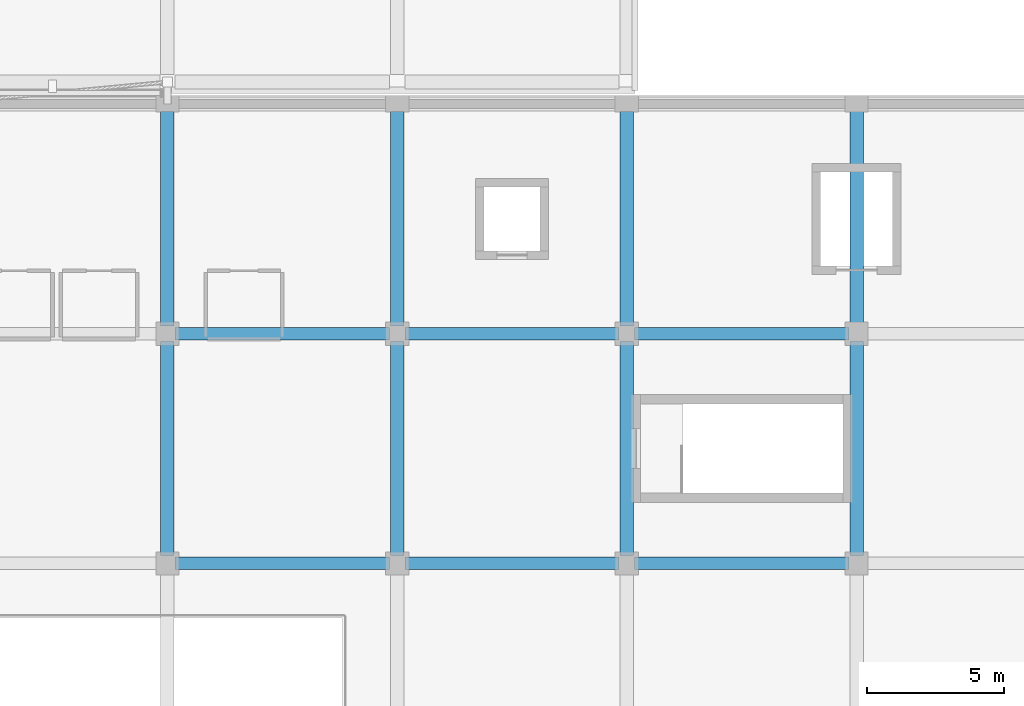
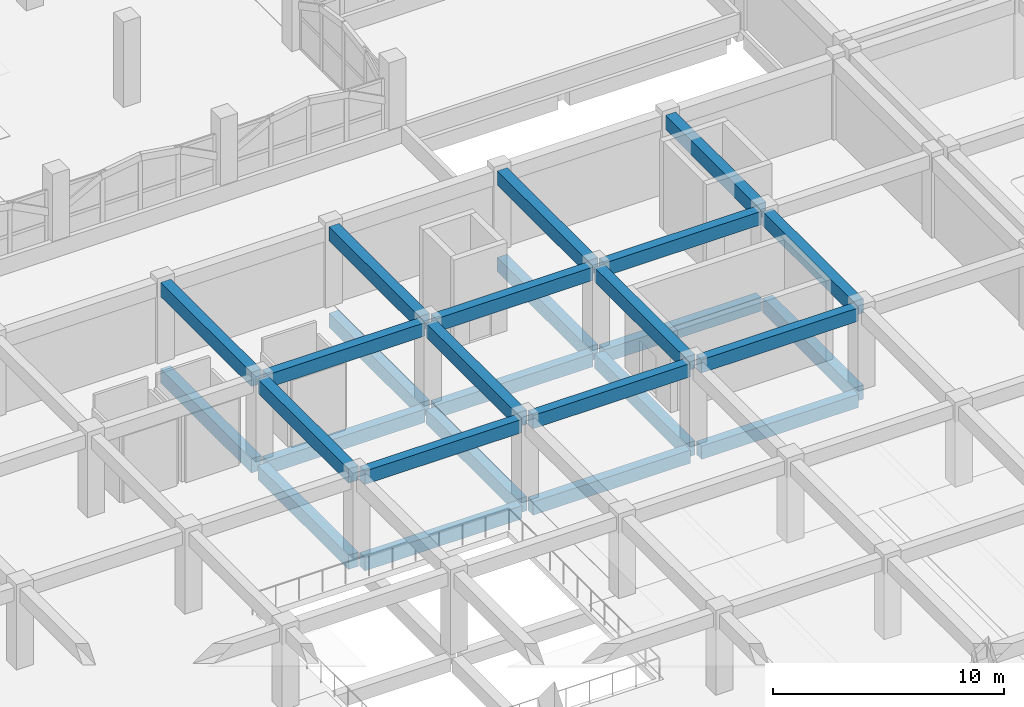
# One storey, part 19 of 129: 27 beams.
"""IFC4 building model written with IfcOpenShell, lengths in metres."""

import ifcopenshell
import ifcopenshell.guid

model = None  # the IFC model being written
_history = None  # IfcOwnerHistory: only IFC2X3 demands one
_inside = {}  # id of a spatial element -> (the spatial element, [elements in it])
_under = {}  # id of a project, library or spatial element -> (it, [spatial elements below it])
_declared = {}  # id of a project -> (the project, [libraries it declares])
_typed = {}  # id of a type object -> (the type object, [elements of that type])
_made_of = {}  # id of a material, layer set ... -> (it, [elements and type objects made of it])


def new_model(schema):
    """Start an empty IFC model of exactly this schema.

    Asked for "IFC4X3", IfcOpenShell would pick the latest addendum, in which some entities
    have other attributes; the version numbers below select the first issue.
    IFC2X3 requires an IfcOwnerHistory on every rooted entity: one is made here for all.
    """
    global model, _history
    if schema == "IFC4X3":
        model = ifcopenshell.file(schema_version=(4, 3, 0, 0))
    else:
        model = ifcopenshell.file(schema=schema)
    _inside.clear()
    _under.clear()
    _declared.clear()
    _typed.clear()
    _made_of.clear()
    _history = None
    if model.schema == "IFC2X3":
        org = make("IfcOrganization", Name="unknown")
        user = make(
            "IfcPersonAndOrganization",
            ThePerson=make("IfcPerson", FamilyName="unknown"),
            TheOrganization=org,
        )
        app = make(
            "IfcApplication",
            ApplicationDeveloper=org,
            Version="unknown",
            ApplicationFullName="unknown",
            ApplicationIdentifier="unknown",
        )
        _history = make(
            "IfcOwnerHistory",
            OwningUser=user,
            OwningApplication=app,
            ChangeAction="ADDED",
            CreationDate=0,
        )
    return model


def make(cls, **values):
    """One entity of the class cls with the attributes given. An attribute that is None is left unset."""
    return model.create_entity(
        cls, **{name: value for name, value in values.items() if value is not None}
    )


def rooted(cls, **values):
    """An entity with a GlobalId (a new one), such as an element, a storey or a relation."""
    return make(cls, GlobalId=ifcopenshell.guid.new(), OwnerHistory=_history, **values)


def si_unit(unit_type, name, prefix=None):
    """IfcSIUnit, for example si_unit("LENGTHUNIT", "METRE", prefix="MILLI")."""
    return make("IfcSIUnit", UnitType=unit_type, Prefix=prefix, Name=name)


def assignment(units):
    """IfcUnitAssignment: the units of a project."""
    return None if units is None else make("IfcUnitAssignment", Units=units)


def point(xyz):
    """IfcCartesianPoint."""
    return None if xyz is None else make("IfcCartesianPoint", Coordinates=xyz)


def direction(xyz):
    """IfcDirection."""
    return None if xyz is None else make("IfcDirection", DirectionRatios=xyz)


def frame(location, z_axis=None, x_axis=None):
    """IfcAxis2Placement3D, a coordinate frame: its origin and axes. An axis left out is left unset."""
    return make(
        "IfcAxis2Placement3D",
        Location=point(location),
        Axis=direction(z_axis),
        RefDirection=direction(x_axis),
    )


def frame_2d(location, x_axis=None):
    """IfcAxis2Placement2D, a coordinate frame in the plane: its origin and x axis."""
    return make(
        "IfcAxis2Placement2D", Location=point(location), RefDirection=direction(x_axis)
    )


def origin():
    """The frame at (0, 0, 0) with its axes left unset."""
    return frame((0.0, 0.0, 0.0))


def origin_2d():
    """The frame at (0, 0) in the plane with its x axis left unset."""
    return frame_2d((0.0, 0.0))


def place(relative_to, where):
    """IfcLocalPlacement: puts the frame where relative to a parent placement (None: the world)."""
    return make(
        "IfcLocalPlacement", PlacementRelTo=relative_to, RelativePlacement=where
    )


def context(
    kind, dimensions, precision=None, world=None, true_north=None, identifier=None
):
    """IfcGeometricRepresentationContext, for example the 3D "Model" context."""
    return make(
        "IfcGeometricRepresentationContext",
        ContextIdentifier=identifier,
        ContextType=kind,
        CoordinateSpaceDimension=dimensions,
        Precision=precision,
        WorldCoordinateSystem=world,
        TrueNorth=true_north,
    )


def subcontext(parent, identifier, kind, view, scale=None):
    """IfcGeometricRepresentationSubContext, for example "Body" below "Model"."""
    return make(
        "IfcGeometricRepresentationSubContext",
        ContextIdentifier=identifier,
        ContextType=kind,
        ParentContext=parent,
        TargetScale=scale,
        TargetView=view,
    )


def project(units=None, contexts=None):
    """IfcProject with its units and contexts."""
    return rooted(
        "IfcProject",
        Name="project",
        RepresentationContexts=contexts,
        UnitsInContext=assignment(units),
    )


def spatial(cls, under=None, at=None, **own):
    """A site, building, storey or space (cls), placed at a placement, below another one or the project."""
    s = rooted(cls, ObjectPlacement=at, **own)
    if under is not None:
        _under.setdefault(under.id(), (under, []))[1].append(s)
    return s


def profile(cls, at=None, kind="AREA", **sizes):
    """A parametric profile (cls). Its sizes go by their IFC names, for example OverallWidth=200.0."""
    return make(cls, ProfileType=kind, Position=at, **sizes)


def rectangle(**sizes):
    """IfcRectangleProfileDef."""
    return profile("IfcRectangleProfileDef", **sizes)


def extrude(swept, where, along, depth):
    """IfcExtrudedAreaSolid: the profile swept, set in the frame where, extruded along a direction by depth."""
    return make(
        "IfcExtrudedAreaSolid",
        SweptArea=swept,
        Position=where,
        ExtrudedDirection=direction(along),
        Depth=depth,
    )


def shape(context_of_items, identifier, shape_type, items):
    """IfcShapeRepresentation: the items that make up one representation, for example the "Body"."""
    return make(
        "IfcShapeRepresentation",
        ContextOfItems=context_of_items,
        RepresentationIdentifier=identifier,
        RepresentationType=shape_type,
        Items=items,
    )


def material(Name=None, Category=None):
    """IfcMaterial."""
    return make("IfcMaterial", Name=Name, Category=Category)


def material_profile(
    of_material, cross_section, Name=None, Category=None, Priority=None
):
    """IfcMaterialProfile: a cross section and its material."""
    return make(
        "IfcMaterialProfile",
        Name=Name,
        Material=of_material,
        Profile=cross_section,
        Priority=Priority,
        Category=Category,
    )


def profile_set(profiles, Name=None, composite=None):
    """IfcMaterialProfileSet."""
    return make(
        "IfcMaterialProfileSet",
        Name=Name,
        MaterialProfiles=profiles,
        CompositeProfile=composite,
    )


def made_of(thing, what):
    """Note that an element or type object is made of a material, layer set ...; save() writes the relation."""
    if what is not None:
        _made_of.setdefault(what.id(), (what, []))[1].append(thing)
    return thing


def type_object(cls, material=None, **own):
    """A type object (cls), such as IfcWallType, which elements share."""
    return made_of(rooted(cls, **own), material)


def element(
    cls,
    number,
    at=None,
    inside=None,
    cuts=None,
    type_object=None,
    material=None,
    context=None,
    identifier="Body",
    shape_type=None,
    held_by="IfcProductDefinitionShape",
    body=None,
    shapes=None,
    **own,
):
    """One element of the class cls, such as IfcWall. Its Tag is "e" and its number.

    at: its placement. inside: the storey or other place that contains it. cuts: it is an
    opening in that element (IfcRelVoidsElement). A single representation is given by context,
    identifier, shape_type and body (its items); several are given by shapes. held_by: the class
    of the entity that holds the representations. save() writes the other relations.
    """
    e = rooted(cls, Tag="e%d" % number, ObjectPlacement=at, **own)
    if body is not None:
        shapes = [shape(context, identifier, shape_type, body)]
    if shapes is not None:
        e.Representation = make(held_by, Representations=shapes)
    if inside is not None:
        _inside.setdefault(inside.id(), (inside, []))[1].append(e)
    if cuts is not None:
        rooted(
            "IfcRelVoidsElement", RelatingBuildingElement=cuts, RelatedOpeningElement=e
        )
    if type_object is not None:
        _typed.setdefault(type_object.id(), (type_object, []))[1].append(e)
    return made_of(e, material)


def aggregate(whole, parts):
    """IfcRelAggregates: a whole, such as a stair, and the parts it consists of."""
    return rooted("IfcRelAggregates", RelatingObject=whole, RelatedObjects=parts)


def save(model, path):
    """Write the relations noted so far, then the file.

    IfcRelAggregates (storeys below a building ...), IfcRelContainedInSpatialStructure (elements
    in a storey), IfcRelDefinesByType, IfcRelAssociatesMaterial and IfcRelDeclares: one each for
    every whole, place, type object, material and project.
    """
    for whole, parts in _under.values():
        aggregate(whole, parts)
    for where, things in _inside.values():
        rooted(
            "IfcRelContainedInSpatialStructure",
            RelatedElements=things,
            RelatingStructure=where,
        )
    for kind, things in _typed.values():
        rooted("IfcRelDefinesByType", RelatedObjects=things, RelatingType=kind)
    for what, things in _made_of.values():
        rooted("IfcRelAssociatesMaterial", RelatedObjects=things, RelatingMaterial=what)
    for by, libraries in _declared.values():
        rooted("IfcRelDeclares", RelatingContext=by, RelatedDefinitions=libraries)
    model.write(path)


model = new_model("IFC4")

# Units and contexts
model_context = context("Model", 3, precision=1e-05, world=origin(), true_north=direction((0.0, 1.0)))
body_context = subcontext(model_context, "Body", "Model", "MODEL_VIEW")
ifc_project = project(units=[si_unit("LENGTHUNIT", "METRE"), si_unit("AREAUNIT", "SQUARE_METRE"), si_unit("VOLUMEUNIT", "CUBIC_METRE"), si_unit("PLANEANGLEUNIT", "RADIAN"), si_unit("MASSUNIT", "GRAM", prefix="KILO")], contexts=[model_context])

# Site, building, storey
site_placement = place(None, origin())
site = spatial("IfcSite", under=ifc_project, at=site_placement, CompositionType="ELEMENT")
building_placement = place(site_placement, origin())
building = spatial("IfcBuilding", under=site, at=building_placement, Name="Xazarin Passage Department Store", CompositionType="ELEMENT")
storey_placement = place(building_placement, frame((0.0, 0.0, 9.89990234375)))
storey = spatial("IfcBuildingStorey", under=building, at=storey_placement, Name="L02", CompositionType="ELEMENT", Elevation=9.89990234375)

# Beams
ifc_material = material(Name="Concrete C35/45", Category="concrete")
ifc_material_profile_1 = material_profile(ifc_material, rectangle(XDim=0.449951171875, YDim=0.699951171875, at=origin_2d()), Name="RC 450x700")
ifc_profile_set_1 = profile_set([ifc_material_profile_1], Name="Concrete C35/45")
beam_type_1 = type_object("IfcBeamType", Name="STR-BM-G450x700", PredefinedType="BEAM", material=ifc_profile_set_1)
for number, where, z_axis, x_axis, name in (
    (1, (33.8798828125, 33.60009765625, -0.669921875), (1.0, 0.0, 0.0), (0.0, 1.0, 0.0), "L02 Grid Beam E/5-6"),
    (2, (42.280029296875, 33.60009765625, -0.669921875), (1.0, 0.0, 0.0), (0.0, 1.0, 0.0), "L02 Grid Beam E/6-7"),
    (3, (50.679931640625, 33.60009765625, -0.669921875), (1.0, 0.0, 0.0), (0.0, 1.0, 0.0), "L02 Grid Beam E/7-8"),
    (4, (33.8798828125, 42.0, -0.669921875), (1.0, 0.0, 0.0), (0.0, 1.0, 0.0), "L02 Grid Beam F/5-6"),
    (5, (42.280029296875, 42.0, -0.669921875), (1.0, 0.0, 0.0), (0.0, 1.0, 0.0), "L02 Grid Beam F/6-7"),
    (6, (50.679931640625, 42.0, -0.669921875), (1.0, 0.0, 0.0), (0.0, 1.0, 0.0), "L02 Grid Beam F/7-8"),
    (7, (33.8798828125, 33.60009765625, 3.89013671875), (1.0, 0.0, 0.0), (0.0, 1.0, 0.0), "L02 Grid Beam E/5-6"),
    (8, (42.280029296875, 33.60009765625, 3.89013671875), (1.0, 0.0, 0.0), (0.0, 1.0, 0.0), "L02 Grid Beam E/6-7"),
    (9, (50.679931640625, 33.60009765625, 3.89013671875), (1.0, 0.0, 0.0), (0.0, 1.0, 0.0), "L02 Grid Beam E/7-8"),
    (10, (33.8798828125, 42.0, 3.89013671875), (1.0, 0.0, 0.0), (0.0, 1.0, 0.0), "L02 Grid Beam F/5-6"),
    (11, (42.280029296875, 42.0, 3.89013671875), (1.0, 0.0, 0.0), (0.0, 1.0, 0.0), "L02 Grid Beam F/6-7"),
    (12, (50.679931640625, 42.0, 3.89013671875), (1.0, 0.0, 0.0), (0.0, 1.0, 0.0), "L02 Grid Beam F/7-8"),
):
    element("IfcBeam", number, at=place(storey_placement, frame(where, z_axis=z_axis, x_axis=x_axis)), inside=storey, type_object=beam_type_1, Name=name, PredefinedType="BEAM", context=body_context, shape_type="SweptSolid", body=[
        extrude(rectangle(XDim=0.449951171875, YDim=0.699951171875, at=origin_2d()), origin(), (0.0, 0.0, 1.0), 7.840087890625),
    ])
ifc_material_profile_2 = material_profile(ifc_material, rectangle(XDim=0.5, YDim=0.75, at=origin_2d()), Name="RC 500x750")
ifc_profile_set_2 = profile_set([ifc_material_profile_2], Name="Concrete C35/45")
beam_type_2 = type_object("IfcBeamType", Name="STR-BM-SP500x750", PredefinedType="SPANDREL", material=ifc_profile_set_2)
for number, where, z_axis, x_axis, name in (
    (13, (33.60009765625, 33.8798828125, -0.69482421875), (0.0, 1.0, 0.0), (-1.0, 0.0, 0.0), "L02 Grid Beam 5/E-F"),
    (14, (33.60009765625, 42.280029296875, -0.69482421875), (0.0, 1.0, 0.0), (-1.0, 0.0, 0.0), "L02 Grid Beam 5/F-G"),
    (15, (42.0, 33.8798828125, -0.69482421875), (0.0, 1.0, 0.0), (-1.0, 0.0, 0.0), "L02 Grid Beam 6/E-F"),
    (16, (42.0, 42.280029296875, -0.69482421875), (0.0, 1.0, 0.0), (-1.0, 0.0, 0.0), "L02 Grid Beam 6/F-G"),
    (17, (50.39990234375, 33.8798828125, -0.69482421875), (0.0, 1.0, 0.0), (-1.0, 0.0, 0.0), "L02 Grid Beam 7/E-F"),
    (18, (50.39990234375, 42.280029296875, -0.69482421875), (0.0, 1.0, 0.0), (-1.0, 0.0, 0.0), "L02 Grid Beam 7/F-G"),
    (19, (58.800048828125, 33.8798828125, -0.69482421875), (0.0, 1.0, 0.0), (-1.0, 0.0, 0.0), "L02 Grid Beam 8/E-F"),
    (20, (33.60009765625, 33.8798828125, 3.864990234375), (0.0, 1.0, 0.0), (-1.0, 0.0, 0.0), "L02 Grid Beam 5/E-F"),
    (21, (33.60009765625, 42.280029296875, 3.864990234375), (0.0, 1.0, 0.0), (-1.0, 0.0, 0.0), "L02 Grid Beam 5/F-G"),
    (22, (42.0, 33.8798828125, 3.864990234375), (0.0, 1.0, 0.0), (-1.0, 0.0, 0.0), "L02 Grid Beam 6/E-F"),
    (23, (42.0, 42.280029296875, 3.864990234375), (0.0, 1.0, 0.0), (-1.0, 0.0, 0.0), "L02 Grid Beam 6/F-G"),
    (24, (50.39990234375, 33.8798828125, 3.864990234375), (0.0, 1.0, 0.0), (-1.0, 0.0, 0.0), "L02 Grid Beam 7/E-F"),
    (25, (50.39990234375, 42.280029296875, 3.864990234375), (0.0, 1.0, 0.0), (-1.0, 0.0, 0.0), "L02 Grid Beam 7/F-G"),
    (26, (58.800048828125, 33.8798828125, 3.864990234375), (0.0, 1.0, 0.0), (-1.0, 0.0, 0.0), "L02 Grid Beam 8/E-F"),
    (27, (58.800048828125, 42.280029296875, 3.864990234375), (0.0, 1.0, 0.0), (-1.0, 0.0, 0.0), "L02 Grid Beam 8/F-G"),
):
    element("IfcBeam", number, at=place(storey_placement, frame(where, z_axis=z_axis, x_axis=x_axis)), inside=storey, type_object=beam_type_2, Name=name, PredefinedType="SPANDREL", context=body_context, shape_type="SweptSolid", body=[
        extrude(rectangle(XDim=0.5, YDim=0.75, at=origin_2d()), origin(), (0.0, 0.0, 1.0), 7.840087890625),
    ])

save(model, "model.ifc")
